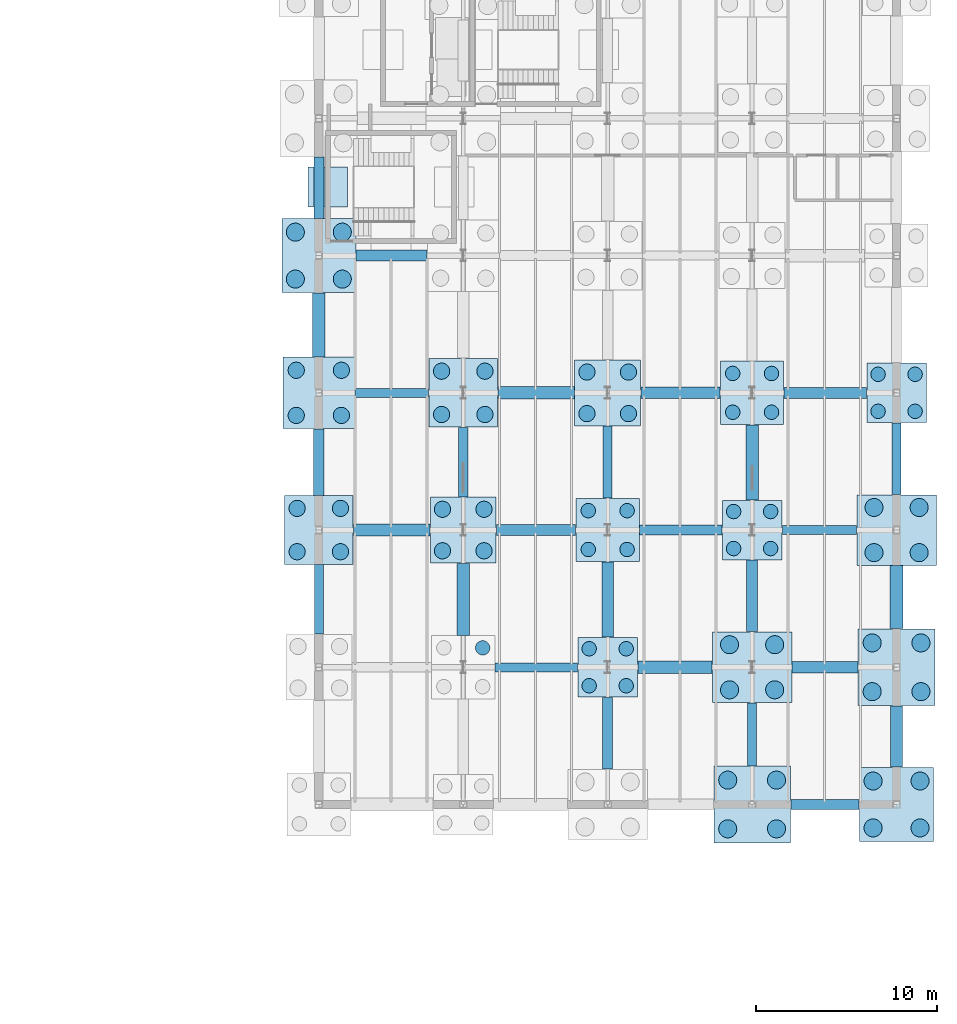
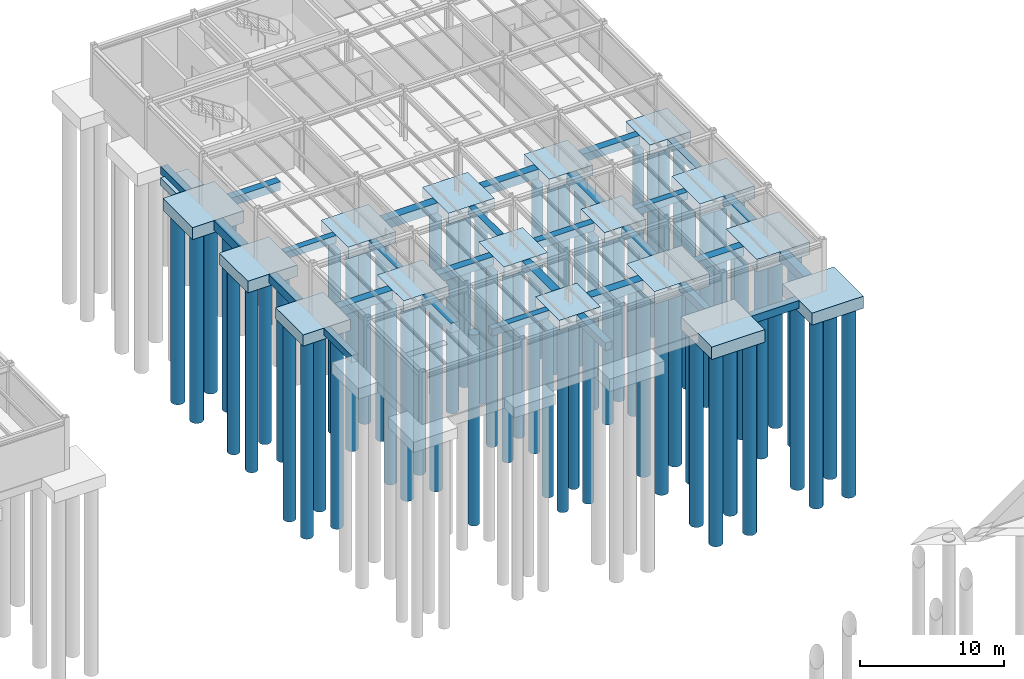
# One storey, part 8 of 33: 65 piles, 45 footings.
"""IFC4 building model written with IfcOpenShell, lengths in metres."""

from ifc_helpers import new_model, si_unit, direction, frame, origin, origin_2d, place, context, subcontext, project, spatial, rectangle, circle, extrude, material, material_profile, profile_set, type_object, element, save


model = new_model("IFC4")

# Units and contexts
model_context = context("Model", 3, precision=1e-05, world=origin(), true_north=direction((0.0, 1.0)))
body_context = subcontext(model_context, "Body", "Model", "MODEL_VIEW")
ifc_project = project(units=[si_unit("LENGTHUNIT", "METRE"), si_unit("AREAUNIT", "SQUARE_METRE"), si_unit("VOLUMEUNIT", "CUBIC_METRE"), si_unit("PLANEANGLEUNIT", "RADIAN"), si_unit("MASSUNIT", "GRAM", prefix="KILO")], contexts=[model_context])

# Site, building, storey
site_placement = place(None, origin())
site = spatial("IfcSite", under=ifc_project, at=site_placement, CompositionType="ELEMENT")
building_placement = place(site_placement, origin())
building = spatial("IfcBuilding", under=site, at=building_placement, Name="Montecoro Central Library", CompositionType="ELEMENT")
storey_placement = place(building_placement, frame((0.0, 0.0, -4.419921875)))
storey = spatial("IfcBuildingStorey", under=building, at=storey_placement, Name="B1", CompositionType="ELEMENT", Elevation=-4.419921875)

# Footings
ifc_material = material(Name="Concrete C35/45", Category="concrete")
footing_type_1 = type_object("IfcFootingType", Name="FT-PAD-220", PredefinedType="PAD_FOOTING", material=ifc_material)
footing_1_placement = place(storey_placement, frame((141.5, 107.60009765625, -1.150146484375), z_axis=(0.0, 0.0, 1.0), x_axis=(1.0, 0.0, 0.0)))
element("IfcFooting", 1, at=footing_1_placement, inside=storey, type_object=footing_type_1, Name="FT-WALL-C8-WW", PredefinedType="PAD_FOOTING", context=body_context, shape_type="SweptSolid", body=[
    extrude(rectangle(XDim=2.199951171875, YDim=2.199951171875, at=origin_2d()), origin(), (0.0, 0.0, 1.0), 0.64990234375),
])
footing_type_2 = type_object("IfcFootingType", Name="FT-PC-330", PredefinedType="PILE_CAP", material=ifc_material)
for number, where, z_axis, x_axis, name in (
    (2, (157.0, 81.0, -0.85009765625), (0.0, 0.0, 1.0), (1.0, 0.0, 0.0), "V5-CAP-20-L"),
    (3, (165.0, 88.60009765625, -0.85009765625), (0.0, 0.0, 1.0), (1.0, 0.0, 0.0), "V5-CAP-21-M"),
    (4, (173.0, 96.199951171875, -0.85009765625), (0.0, 0.0, 1.0), (1.0, 0.0, 0.0), "V5-CAP-22-N"),
):
    element("IfcFooting", number, at=place(storey_placement, frame(where, z_axis=z_axis, x_axis=x_axis)), inside=storey, type_object=footing_type_2, Name=name, PredefinedType="PILE_CAP", context=body_context, shape_type="SweptSolid", body=[
        extrude(rectangle(XDim=3.300048828125, YDim=3.300048828125, at=origin_2d()), origin(), (0.0, 0.0, 1.0), 0.85009765625),
    ])
footing_type_3 = type_object("IfcFootingType", Name="FT-PC-350", PredefinedType="PILE_CAP", material=ifc_material)
for number, where, z_axis, x_axis, name in (
    (5, (157.0, 88.60009765625, -0.880126953125), (0.0, 0.0, 1.0), (1.0, 0.0, 0.0), "V5-CAP-20-M"),
    (6, (165.0, 96.199951171875, -0.880126953125), (0.0, 0.0, 1.0), (1.0, 0.0, 0.0), "V5-CAP-21-N"),
):
    element("IfcFooting", number, at=place(storey_placement, frame(where, z_axis=z_axis, x_axis=x_axis)), inside=storey, type_object=footing_type_3, Name=name, PredefinedType="PILE_CAP", context=body_context, shape_type="SweptSolid", body=[
        extrude(rectangle(XDim=3.5, YDim=3.5, at=origin_2d()), origin(), (0.0, 0.0, 1.0), 0.8798828125),
    ])
footing_type_4 = type_object("IfcFootingType", Name="FT-PC-365", PredefinedType="PILE_CAP", material=ifc_material)
for number, where, z_axis, x_axis, name in (
    (7, (149.0, 88.60009765625, -0.900146484375), (0.0, 0.0, 1.0), (1.0, 0.0, 0.0), "V5-CAP-19-M"),
    (8, (157.0, 96.199951171875, -0.900146484375), (0.0, 0.0, 1.0), (1.0, 0.0, 0.0), "V5-CAP-20-N"),
):
    element("IfcFooting", number, at=place(storey_placement, frame(where, z_axis=z_axis, x_axis=x_axis)), inside=storey, type_object=footing_type_4, Name=name, PredefinedType="PILE_CAP", context=body_context, shape_type="SweptSolid", body=[
        extrude(rectangle(XDim=3.64990234375, YDim=3.64990234375, at=origin_2d()), origin(), (0.0, 0.0, 1.0), 0.89990234375),
    ])
footing_type_5 = type_object("IfcFootingType", Name="FT-PC-380", PredefinedType="PILE_CAP", material=ifc_material)
for number, where, z_axis, x_axis, name in (
    (9, (141.0, 88.60009765625, -0.9501953125), (0.0, 0.0, 1.0), (1.0, 0.0, 0.0), "V5-CAP-18-M"),
    (10, (149.0, 96.199951171875, -0.9501953125), (0.0, 0.0, 1.0), (1.0, 0.0, 0.0), "V5-CAP-19-N"),
):
    element("IfcFooting", number, at=place(storey_placement, frame(where, z_axis=z_axis, x_axis=x_axis)), inside=storey, type_object=footing_type_5, Name=name, PredefinedType="PILE_CAP", context=body_context, shape_type="SweptSolid", body=[
        extrude(rectangle(XDim=3.800048828125, YDim=3.800048828125, at=origin_2d()), origin(), (0.0, 0.0, 1.0), 0.949951171875),
    ])
footing_type_6 = type_object("IfcFootingType", Name="FT-PC-395", PredefinedType="PILE_CAP", material=ifc_material)
footing_2_placement = place(storey_placement, frame((141.0, 96.199951171875, -0.97998046875), z_axis=(0.0, 0.0, 1.0), x_axis=(1.0, 0.0, 0.0)))
element("IfcFooting", 11, at=footing_2_placement, inside=storey, type_object=footing_type_6, Name="V5-CAP-18-N", PredefinedType="PILE_CAP", context=body_context, shape_type="SweptSolid", body=[
    extrude(rectangle(XDim=3.949951171875, YDim=3.949951171875, at=origin_2d()), origin(), (0.0, 0.0, 1.0), 0.97998046875),
])
footing_type_7 = type_object("IfcFootingType", Name="FT-PC-410", PredefinedType="PILE_CAP", material=ifc_material)
for number, where, z_axis, x_axis, name in (
    (12, (141.0, 103.800048828125, -1.02001953125), (0.0, 0.0, 1.0), (1.0, 0.0, 0.0), "V5-CAP-18-P"),
    (13, (173.0, 73.39990234375, -1.02001953125), (0.0, 0.0, 1.0), (1.0, 0.0, 0.0), "V5-CAP-22-K"),
):
    element("IfcFooting", number, at=place(storey_placement, frame(where, z_axis=z_axis, x_axis=x_axis)), inside=storey, type_object=footing_type_7, Name=name, PredefinedType="PILE_CAP", context=body_context, shape_type="SweptSolid", body=[
        extrude(rectangle(XDim=4.10009765625, YDim=4.10009765625, at=origin_2d()), origin(), (0.0, 0.0, 1.0), 1.02001953125),
    ])
footing_type_8 = type_object("IfcFootingType", Name="FT-PC-425", PredefinedType="PILE_CAP", material=ifc_material)
for number, where, z_axis, x_axis, name in (
    (14, (165.0, 73.39990234375, -1.06005859375), (0.0, 0.0, 1.0), (1.0, 0.0, 0.0), "V5-CAP-21-K"),
    (15, (173.0, 81.0, -1.06005859375), (0.0, 0.0, 1.0), (1.0, 0.0, 0.0), "V5-CAP-22-L"),
):
    element("IfcFooting", number, at=place(storey_placement, frame(where, z_axis=z_axis, x_axis=x_axis)), inside=storey, type_object=footing_type_8, Name=name, PredefinedType="PILE_CAP", context=body_context, shape_type="SweptSolid", body=[
        extrude(rectangle(XDim=4.25, YDim=4.25, at=origin_2d()), origin(), (0.0, 0.0, 1.0), 1.06005859375),
    ])
footing_type_9 = type_object("IfcFootingType", Name="FT-PC-440", PredefinedType="PILE_CAP", material=ifc_material)
for number, where, z_axis, x_axis, name in (
    (16, (165.0, 81.0, -1.05029296875), (0.0, 0.0, 1.0), (1.0, 0.0, 0.0), "V5-CAP-21-L"),
    (17, (173.0, 88.60009765625, -1.05029296875), (0.0, 0.0, 1.0), (1.0, 0.0, 0.0), "V5-CAP-22-M"),
):
    element("IfcFooting", number, at=place(storey_placement, frame(where, z_axis=z_axis, x_axis=x_axis)), inside=storey, type_object=footing_type_9, Name=name, PredefinedType="PILE_CAP", context=body_context, shape_type="SweptSolid", body=[
        extrude(rectangle(XDim=4.39990234375, YDim=3.89990234375, at=origin_2d()), origin(), (0.0, 0.0, 1.0), 1.050048828125),
    ])
footing_type_10 = type_object("IfcFootingType", Name="FT-TB-01", PredefinedType="FOOTING_BEAM", material=ifc_material)
footing_3_placement = place(storey_placement, frame((141.0, 84.762939453125, -0.60009765625), z_axis=(0.0, 0.0, 1.0), x_axis=(1.0, 0.0, 0.0)))
element("IfcFooting", 18, at=footing_3_placement, inside=storey, type_object=footing_type_10, Name="FT-TBY-135", PredefinedType="FOOTING_BEAM", context=body_context, shape_type="SweptSolid", body=[
    extrude(rectangle(XDim=0.5, YDim=3.8349609375, at=origin_2d()), origin(), (0.0, 0.0, 1.0), 0.60009765625),
])
footing_4_placement = place(storey_placement, frame((145.0380859375, 96.199951171875, -0.60009765625), z_axis=(0.0, 0.0, 1.0), x_axis=(1.0, 0.0, 0.0)))
element("IfcFooting", 19, at=footing_4_placement, inside=storey, type_object=footing_type_10, Name="FT-TBX-140", PredefinedType="FOOTING_BEAM", context=body_context, shape_type="SweptSolid", body=[
    extrude(rectangle(XDim=4.0849609375, YDim=0.5, at=origin_2d()), origin(), (0.0, 0.0, 1.0), 0.60009765625),
])
footing_5_placement = place(storey_placement, frame((153.050048828125, 81.0, -0.60009765625), z_axis=(0.0, 0.0, 1.0), x_axis=(1.0, 0.0, 0.0)))
element("IfcFooting", 20, at=footing_5_placement, inside=storey, type_object=footing_type_10, Name="FT-TBX-160", PredefinedType="FOOTING_BEAM", context=body_context, shape_type="SweptSolid", body=[
    extrude(rectangle(XDim=4.56005859375, YDim=0.5, at=origin_2d()), origin(), (0.0, 0.0, 1.0), 0.60009765625),
])
footing_6_placement = place(storey_placement, frame((157.0, 92.363037109375, -0.60009765625), z_axis=(0.0, 0.0, 1.0), x_axis=(1.0, 0.0, 0.0)))
element("IfcFooting", 21, at=footing_6_placement, inside=storey, type_object=footing_type_10, Name="FT-TBY-185", PredefinedType="FOOTING_BEAM", context=body_context, shape_type="SweptSolid", body=[
    extrude(rectangle(XDim=0.5, YDim=3.985107421875, at=origin_2d()), origin(), (0.0, 0.0, 1.0), 0.60009765625),
])
footing_7_placement = place(storey_placement, frame((165.0, 77.287109375, -0.60009765625), z_axis=(0.0, 0.0, 1.0), x_axis=(1.0, 0.0, 0.0)))
element("IfcFooting", 22, at=footing_7_placement, inside=storey, type_object=footing_type_10, Name="FT-TBY-205", PredefinedType="FOOTING_BEAM", context=body_context, shape_type="SweptSolid", body=[
    extrude(rectangle(XDim=0.5, YDim=3.485107421875, at=origin_2d()), origin(), (0.0, 0.0, 1.0), 0.60009765625),
])
footing_8_placement = place(storey_placement, frame((168.72509765625, 88.60009765625, -0.60009765625), z_axis=(0.0, 0.0, 1.0), x_axis=(1.0, 0.0, 0.0)))
element("IfcFooting", 23, at=footing_8_placement, inside=storey, type_object=footing_type_10, Name="FT-TBX-210", PredefinedType="FOOTING_BEAM", context=body_context, shape_type="SweptSolid", body=[
    extrude(rectangle(XDim=4.110107421875, YDim=0.5, at=origin_2d()), origin(), (0.0, 0.0, 1.0), 0.60009765625),
])
footing_9_placement = place(storey_placement, frame((173.0, 92.550048828125, -0.60009765625), z_axis=(0.0, 0.0, 1.0), x_axis=(1.0, 0.0, 0.0)))
element("IfcFooting", 24, at=footing_9_placement, inside=storey, type_object=footing_type_10, Name="FT-TBY-225", PredefinedType="FOOTING_BEAM", context=body_context, shape_type="SweptSolid", body=[
    extrude(rectangle(XDim=0.5, YDim=3.9599609375, at=origin_2d()), origin(), (0.0, 0.0, 1.0), 0.60009765625),
])
footing_type_11 = type_object("IfcFootingType", Name="FT-TB-02", PredefinedType="FOOTING_BEAM", material=ifc_material)
footing_10_placement = place(storey_placement, frame((141.0, 107.56201171875, -0.650146484375), z_axis=(0.0, 0.0, 1.0), x_axis=(1.0, 0.0, 0.0)))
element("IfcFooting", 25, at=footing_10_placement, inside=storey, type_object=footing_type_11, Name="FT-TBY-141", PredefinedType="FOOTING_BEAM", context=body_context, shape_type="SweptSolid", body=[
    extrude(rectangle(XDim=0.550048828125, YDim=3.385009765625, at=origin_2d()), origin(), (0.0, 0.0, 1.0), 0.64990234375),
])
footing_11_placement = place(storey_placement, frame((149.0, 92.362060546875, -0.650146484375), z_axis=(0.0, 0.0, 1.0), x_axis=(1.0, 0.0, 0.0)))
element("IfcFooting", 26, at=footing_11_placement, inside=storey, type_object=footing_type_11, Name="FT-TBY-161", PredefinedType="FOOTING_BEAM", context=body_context, shape_type="SweptSolid", body=[
    extrude(rectangle(XDim=0.550048828125, YDim=3.8349609375, at=origin_2d()), origin(), (0.0, 0.0, 1.0), 0.64990234375),
])
footing_12_placement = place(storey_placement, frame((157.0, 77.35009765625, -0.650146484375), z_axis=(0.0, 0.0, 1.0), x_axis=(1.0, 0.0, 0.0)))
element("IfcFooting", 27, at=footing_12_placement, inside=storey, type_object=footing_type_11, Name="FT-TBY-181", PredefinedType="FOOTING_BEAM", context=body_context, shape_type="SweptSolid", body=[
    extrude(rectangle(XDim=0.550048828125, YDim=3.9599609375, at=origin_2d()), origin(), (0.0, 0.0, 1.0), 0.64990234375),
])
footing_13_placement = place(storey_placement, frame((161.050048828125, 88.60009765625, -0.650146484375), z_axis=(0.0, 0.0, 1.0), x_axis=(1.0, 0.0, 0.0)))
element("IfcFooting", 28, at=footing_13_placement, inside=storey, type_object=footing_type_11, Name="FT-TBX-186", PredefinedType="FOOTING_BEAM", context=body_context, shape_type="SweptSolid", body=[
    extrude(rectangle(XDim=4.56005859375, YDim=0.550048828125, at=origin_2d()), origin(), (0.0, 0.0, 1.0), 0.64990234375),
])
footing_14_placement = place(storey_placement, frame((169.0380859375, 73.39990234375, -0.650146484375), z_axis=(0.0, 0.0, 1.0), x_axis=(1.0, 0.0, 0.0)))
element("IfcFooting", 29, at=footing_14_placement, inside=storey, type_object=footing_type_11, Name="FT-TBX-206", PredefinedType="FOOTING_BEAM", context=body_context, shape_type="SweptSolid", body=[
    extrude(rectangle(XDim=3.784912109375, YDim=0.550048828125, at=origin_2d()), origin(), (0.0, 0.0, 1.0), 0.64990234375),
])
footing_type_12 = type_object("IfcFootingType", Name="FT-TB-03", PredefinedType="FOOTING_BEAM", material=ifc_material)
footing_15_placement = place(storey_placement, frame((141.0, 92.362060546875, -0.7001953125), z_axis=(0.0, 0.0, 1.0), x_axis=(1.0, 0.0, 0.0)))
element("IfcFooting", 30, at=footing_15_placement, inside=storey, type_object=footing_type_12, Name="FT-TBY-137", PredefinedType="FOOTING_BEAM", context=body_context, shape_type="SweptSolid", body=[
    extrude(rectangle(XDim=0.60009765625, YDim=3.68505859375, at=origin_2d()), origin(), (0.0, 0.0, 1.0), 0.699951171875),
])
footing_16_placement = place(storey_placement, frame((145.037109375, 103.800048828125, -0.7001953125), z_axis=(0.0, 0.0, 1.0), x_axis=(1.0, 0.0, 0.0)))
element("IfcFooting", 31, at=footing_16_placement, inside=storey, type_object=footing_type_12, Name="FT-TBX-142", PredefinedType="FOOTING_BEAM", context=body_context, shape_type="SweptSolid", body=[
    extrude(rectangle(XDim=3.93505859375, YDim=0.60009765625, at=origin_2d()), origin(), (0.0, 0.0, 1.0), 0.699951171875),
])
footing_17_placement = place(storey_placement, frame((153.037109375, 88.60009765625, -0.7001953125), z_axis=(0.0, 0.0, 1.0), x_axis=(1.0, 0.0, 0.0)))
element("IfcFooting", 32, at=footing_17_placement, inside=storey, type_object=footing_type_12, Name="FT-TBX-162", PredefinedType="FOOTING_BEAM", context=body_context, shape_type="SweptSolid", body=[
    extrude(rectangle(XDim=4.385009765625, YDim=0.60009765625, at=origin_2d()), origin(), (0.0, 0.0, 1.0), 0.699951171875),
])
footing_18_placement = place(storey_placement, frame((165.0, 84.949951171875, -0.7001953125), z_axis=(0.0, 0.0, 1.0), x_axis=(1.0, 0.0, 0.0)))
element("IfcFooting", 33, at=footing_18_placement, inside=storey, type_object=footing_type_12, Name="FT-TBY-207", PredefinedType="FOOTING_BEAM", context=body_context, shape_type="SweptSolid", body=[
    extrude(rectangle(XDim=0.60009765625, YDim=3.9599609375, at=origin_2d()), origin(), (0.0, 0.0, 1.0), 0.699951171875),
])
footing_19_placement = place(storey_placement, frame((169.050048828125, 96.199951171875, -0.7001953125), z_axis=(0.0, 0.0, 1.0), x_axis=(1.0, 0.0, 0.0)))
element("IfcFooting", 34, at=footing_19_placement, inside=storey, type_object=footing_type_12, Name="FT-TBX-212", PredefinedType="FOOTING_BEAM", context=body_context, shape_type="SweptSolid", body=[
    extrude(rectangle(XDim=4.56005859375, YDim=0.60009765625, at=origin_2d()), origin(), (0.0, 0.0, 1.0), 0.699951171875),
])
footing_type_13 = type_object("IfcFootingType", Name="FT-TB-04", PredefinedType="FOOTING_BEAM", material=ifc_material)
footing_20_placement = place(storey_placement, frame((145.037109375, 88.60009765625, -0.75), z_axis=(0.0, 0.0, 1.0), x_axis=(1.0, 0.0, 0.0)))
element("IfcFooting", 35, at=footing_20_placement, inside=storey, type_object=footing_type_13, Name="FT-TBX-138", PredefinedType="FOOTING_BEAM", context=body_context, shape_type="SweptSolid", body=[
    extrude(rectangle(XDim=4.235107421875, YDim=0.64990234375, at=origin_2d()), origin(), (0.0, 0.0, 1.0), 0.75),
])
footing_21_placement = place(storey_placement, frame((157.0, 84.75, -0.75), z_axis=(0.0, 0.0, 1.0), x_axis=(1.0, 0.0, 0.0)))
element("IfcFooting", 36, at=footing_21_placement, inside=storey, type_object=footing_type_13, Name="FT-TBY-183", PredefinedType="FOOTING_BEAM", context=body_context, shape_type="SweptSolid", body=[
    extrude(rectangle(XDim=0.64990234375, YDim=4.159912109375, at=origin_2d()), origin(), (0.0, 0.0, 1.0), 0.75),
])
footing_22_placement = place(storey_placement, frame((161.037109375, 96.199951171875, -0.75), z_axis=(0.0, 0.0, 1.0), x_axis=(1.0, 0.0, 0.0)))
element("IfcFooting", 37, at=footing_22_placement, inside=storey, type_object=footing_type_13, Name="FT-TBX-188", PredefinedType="FOOTING_BEAM", context=body_context, shape_type="SweptSolid", body=[
    extrude(rectangle(XDim=4.385009765625, YDim=0.64990234375, at=origin_2d()), origin(), (0.0, 0.0, 1.0), 0.75),
])
footing_23_placement = place(storey_placement, frame((169.037109375, 81.0, -0.75), z_axis=(0.0, 0.0, 1.0), x_axis=(1.0, 0.0, 0.0)))
element("IfcFooting", 38, at=footing_23_placement, inside=storey, type_object=footing_type_13, Name="FT-TBX-208", PredefinedType="FOOTING_BEAM", context=body_context, shape_type="SweptSolid", body=[
    extrude(rectangle(XDim=3.635009765625, YDim=0.64990234375, at=origin_2d()), origin(), (0.0, 0.0, 1.0), 0.75),
])
footing_24_placement = place(storey_placement, frame((173.0, 77.162109375, -0.75), z_axis=(0.0, 0.0, 1.0), x_axis=(1.0, 0.0, 0.0)))
element("IfcFooting", 39, at=footing_24_placement, inside=storey, type_object=footing_type_13, Name="FT-TBY-223", PredefinedType="FOOTING_BEAM", context=body_context, shape_type="SweptSolid", body=[
    extrude(rectangle(XDim=0.64990234375, YDim=3.385009765625, at=origin_2d()), origin(), (0.0, 0.0, 1.0), 0.75),
])
footing_type_14 = type_object("IfcFootingType", Name="FT-TB-05", PredefinedType="FOOTING_BEAM", material=ifc_material)
footing_25_placement = place(storey_placement, frame((141.0, 99.962890625, -0.80029296875), z_axis=(0.0, 0.0, 1.0), x_axis=(1.0, 0.0, 0.0)))
element("IfcFooting", 40, at=footing_25_placement, inside=storey, type_object=footing_type_14, Name="FT-TBY-139", PredefinedType="FOOTING_BEAM", context=body_context, shape_type="SweptSolid", body=[
    extrude(rectangle(XDim=0.699951171875, YDim=3.534912109375, at=origin_2d()), origin(), (0.0, 0.0, 1.0), 0.800048828125),
])
footing_26_placement = place(storey_placement, frame((149.0, 84.761962890625, -0.80029296875), z_axis=(0.0, 0.0, 1.0), x_axis=(1.0, 0.0, 0.0)))
element("IfcFooting", 41, at=footing_26_placement, inside=storey, type_object=footing_type_14, Name="FT-TBY-159", PredefinedType="FOOTING_BEAM", context=body_context, shape_type="SweptSolid", body=[
    extrude(rectangle(XDim=0.699951171875, YDim=3.985107421875, at=origin_2d()), origin(), (0.0, 0.0, 1.0), 0.800048828125),
])
footing_27_placement = place(storey_placement, frame((153.037109375, 96.199951171875, -0.80029296875), z_axis=(0.0, 0.0, 1.0), x_axis=(1.0, 0.0, 0.0)))
element("IfcFooting", 42, at=footing_27_placement, inside=storey, type_object=footing_type_14, Name="FT-TBX-164", PredefinedType="FOOTING_BEAM", context=body_context, shape_type="SweptSolid", body=[
    extrude(rectangle(XDim=4.235107421875, YDim=0.699951171875, at=origin_2d()), origin(), (0.0, 0.0, 1.0), 0.800048828125),
])
footing_28_placement = place(storey_placement, frame((160.72509765625, 81.0, -0.80029296875), z_axis=(0.0, 0.0, 1.0), x_axis=(1.0, 0.0, 0.0)))
element("IfcFooting", 43, at=footing_28_placement, inside=storey, type_object=footing_type_14, Name="FT-TBX-184", PredefinedType="FOOTING_BEAM", context=body_context, shape_type="SweptSolid", body=[
    extrude(rectangle(XDim=4.110107421875, YDim=0.699951171875, at=origin_2d()), origin(), (0.0, 0.0, 1.0), 0.800048828125),
])
footing_29_placement = place(storey_placement, frame((165.0, 92.35009765625, -0.80029296875), z_axis=(0.0, 0.0, 1.0), x_axis=(1.0, 0.0, 0.0)))
element("IfcFooting", 44, at=footing_29_placement, inside=storey, type_object=footing_type_14, Name="FT-TBY-209", PredefinedType="FOOTING_BEAM", context=body_context, shape_type="SweptSolid", body=[
    extrude(rectangle(XDim=0.699951171875, YDim=4.159912109375, at=origin_2d()), origin(), (0.0, 0.0, 1.0), 0.800048828125),
])
footing_30_placement = place(storey_placement, frame((173.0, 84.886962890625, -0.80029296875), z_axis=(0.0, 0.0, 1.0), x_axis=(1.0, 0.0, 0.0)))
element("IfcFooting", 45, at=footing_30_placement, inside=storey, type_object=footing_type_14, Name="FT-TBY-224", PredefinedType="FOOTING_BEAM", context=body_context, shape_type="SweptSolid", body=[
    extrude(rectangle(XDim=0.699951171875, YDim=3.485107421875, at=origin_2d()), origin(), (0.0, 0.0, 1.0), 0.800048828125),
])

# Piles
ifc_material_profile_1 = material_profile(ifc_material, circle(Radius=0.5, at=origin_2d()), Name="PILE D1000")
ifc_profile_set_1 = profile_set([ifc_material_profile_1], Name="Concrete C35/45")
pile_type_1 = type_object("IfcPileType", Name="PL-BORED-1000", PredefinedType="BORED", material=ifc_profile_set_1)
for number, where, z_axis, x_axis, name in (
    (46, (139.699951171875, 102.5, -0.920166015625), (0.0, 0.0, -1.0), (1.0, 0.0, 0.0), "V5-CAP-18-P-P1"),
    (47, (139.699951171875, 105.10009765625, -0.920166015625), (0.0, 0.0, -1.0), (1.0, 0.0, 0.0), "V5-CAP-18-P-P2"),
    (48, (142.300048828125, 102.5, -0.920166015625), (0.0, 0.0, -1.0), (1.0, 0.0, 0.0), "V5-CAP-18-P-P3"),
    (49, (142.300048828125, 105.10009765625, -0.920166015625), (0.0, 0.0, -1.0), (1.0, 0.0, 0.0), "V5-CAP-18-P-P4"),
):
    element("IfcPile", number, at=place(storey_placement, frame(where, z_axis=z_axis, x_axis=x_axis)), inside=storey, type_object=pile_type_1, Name=name, PredefinedType="BORED", context=body_context, shape_type="SweptSolid", body=[
        extrude(circle(Radius=0.5, at=origin_2d()), origin(), (0.0, 0.0, 1.0), 16.010009765625),
    ])
for number, where, z_axis, x_axis, name in (
    (50, (163.64990234375, 72.050048828125, -0.9599609375), (0.0, 0.0, -1.0), (1.0, 0.0, 0.0), "V5-CAP-21-K-P1"),
    (51, (163.64990234375, 74.75, -0.9599609375), (0.0, 0.0, -1.0), (1.0, 0.0, 0.0), "V5-CAP-21-K-P2"),
    (52, (166.35009765625, 72.050048828125, -0.9599609375), (0.0, 0.0, -1.0), (1.0, 0.0, 0.0), "V5-CAP-21-K-P3"),
    (53, (166.35009765625, 74.75, -0.9599609375), (0.0, 0.0, -1.0), (1.0, 0.0, 0.0), "V5-CAP-21-K-P4"),
):
    element("IfcPile", number, at=place(storey_placement, frame(where, z_axis=z_axis, x_axis=x_axis)), inside=storey, type_object=pile_type_1, Name=name, PredefinedType="BORED", context=body_context, shape_type="SweptSolid", body=[
        extrude(circle(Radius=0.5, at=origin_2d()), origin(), (0.0, 0.0, 1.0), 16.320068359375),
    ])
for number, where, z_axis, x_axis, name in (
    (54, (163.75, 79.75, -0.9501953125), (0.0, 0.0, -1.0), (1.0, 0.0, 0.0), "V5-CAP-21-L-P1"),
    (55, (163.75, 82.25, -0.9501953125), (0.0, 0.0, -1.0), (1.0, 0.0, 0.0), "V5-CAP-21-L-P2"),
    (56, (166.25, 79.75, -0.9501953125), (0.0, 0.0, -1.0), (1.0, 0.0, 0.0), "V5-CAP-21-L-P3"),
    (57, (166.25, 82.25, -0.9501953125), (0.0, 0.0, -1.0), (1.0, 0.0, 0.0), "V5-CAP-21-L-P4"),
):
    element("IfcPile", number, at=place(storey_placement, frame(where, z_axis=z_axis, x_axis=x_axis)), inside=storey, type_object=pile_type_1, Name=name, PredefinedType="BORED", context=body_context, shape_type="SweptSolid", body=[
        extrude(circle(Radius=0.5, at=origin_2d()), origin(), (0.0, 0.0, 1.0), 16.679931640625),
    ])
for number, where, z_axis, x_axis, name in (
    (58, (171.699951171875, 72.10009765625, -0.920166015625), (0.0, 0.0, -1.0), (1.0, 0.0, 0.0), "V5-CAP-22-K-P1"),
    (59, (171.699951171875, 74.699951171875, -0.920166015625), (0.0, 0.0, -1.0), (1.0, 0.0, 0.0), "V5-CAP-22-K-P2"),
    (60, (174.300048828125, 72.10009765625, -0.920166015625), (0.0, 0.0, -1.0), (1.0, 0.0, 0.0), "V5-CAP-22-K-P3"),
    (61, (174.300048828125, 74.699951171875, -0.920166015625), (0.0, 0.0, -1.0), (1.0, 0.0, 0.0), "V5-CAP-22-K-P4"),
):
    element("IfcPile", number, at=place(storey_placement, frame(where, z_axis=z_axis, x_axis=x_axis)), inside=storey, type_object=pile_type_1, Name=name, PredefinedType="BORED", context=body_context, shape_type="SweptSolid", body=[
        extrude(circle(Radius=0.5, at=origin_2d()), origin(), (0.0, 0.0, 1.0), 16.010009765625),
    ])
for number, where, z_axis, x_axis, name in (
    (62, (171.64990234375, 79.64990234375, -0.9599609375), (0.0, 0.0, -1.0), (1.0, 0.0, 0.0), "V5-CAP-22-L-P1"),
    (63, (171.64990234375, 82.35009765625, -0.9599609375), (0.0, 0.0, -1.0), (1.0, 0.0, 0.0), "V5-CAP-22-L-P2"),
    (64, (174.35009765625, 79.64990234375, -0.9599609375), (0.0, 0.0, -1.0), (1.0, 0.0, 0.0), "V5-CAP-22-L-P3"),
    (65, (174.35009765625, 82.35009765625, -0.9599609375), (0.0, 0.0, -1.0), (1.0, 0.0, 0.0), "V5-CAP-22-L-P4"),
):
    element("IfcPile", number, at=place(storey_placement, frame(where, z_axis=z_axis, x_axis=x_axis)), inside=storey, type_object=pile_type_1, Name=name, PredefinedType="BORED", context=body_context, shape_type="SweptSolid", body=[
        extrude(circle(Radius=0.5, at=origin_2d()), origin(), (0.0, 0.0, 1.0), 16.320068359375),
    ])
for number, where, z_axis, x_axis, name in (
    (66, (171.75, 87.35009765625, -0.9501953125), (0.0, 0.0, -1.0), (1.0, 0.0, 0.0), "V5-CAP-22-M-P1"),
    (67, (171.75, 89.85009765625, -0.9501953125), (0.0, 0.0, -1.0), (1.0, 0.0, 0.0), "V5-CAP-22-M-P2"),
    (68, (174.25, 87.35009765625, -0.9501953125), (0.0, 0.0, -1.0), (1.0, 0.0, 0.0), "V5-CAP-22-M-P3"),
    (69, (174.25, 89.85009765625, -0.9501953125), (0.0, 0.0, -1.0), (1.0, 0.0, 0.0), "V5-CAP-22-M-P4"),
):
    element("IfcPile", number, at=place(storey_placement, frame(where, z_axis=z_axis, x_axis=x_axis)), inside=storey, type_object=pile_type_1, Name=name, PredefinedType="BORED", context=body_context, shape_type="SweptSolid", body=[
        extrude(circle(Radius=0.5, at=origin_2d()), origin(), (0.0, 0.0, 1.0), 16.679931640625),
    ])
ifc_material_profile_2 = material_profile(ifc_material, circle(Radius=0.39990234375, at=origin_2d()), Name="PILE D800")
ifc_profile_set_2 = profile_set([ifc_material_profile_2], Name="Concrete C35/45")
pile_type_2 = type_object("IfcPileType", Name="PL-BORED-800", PredefinedType="BORED", material=ifc_profile_set_2)
pile_placement = place(storey_placement, frame((150.074951171875, 82.074951171875, -0.780029296875), z_axis=(0.0, 0.0, -1.0), x_axis=(1.0, 0.0, 0.0)))
element("IfcPile", 70, at=pile_placement, inside=storey, type_object=pile_type_2, Name="V5-CAP-19-L-P4", PredefinedType="BORED", context=body_context, shape_type="SweptSolid", body=[
    extrude(circle(Radius=0.39990234375, at=origin_2d()), origin(), (0.0, 0.0, 1.0), 16.14990234375),
])
for number, where, z_axis, x_axis, name in (
    (71, (155.97509765625, 79.97509765625, -0.75), (0.0, 0.0, -1.0), (1.0, 0.0, 0.0), "V5-CAP-20-L-P1"),
    (72, (155.97509765625, 82.02490234375, -0.75), (0.0, 0.0, -1.0), (1.0, 0.0, 0.0), "V5-CAP-20-L-P2"),
    (73, (158.02490234375, 79.97509765625, -0.75), (0.0, 0.0, -1.0), (1.0, 0.0, 0.0), "V5-CAP-20-L-P3"),
    (74, (158.02490234375, 82.02490234375, -0.75), (0.0, 0.0, -1.0), (1.0, 0.0, 0.0), "V5-CAP-20-L-P4"),
):
    element("IfcPile", number, at=place(storey_placement, frame(where, z_axis=z_axis, x_axis=x_axis)), inside=storey, type_object=pile_type_2, Name=name, PredefinedType="BORED", context=body_context, shape_type="SweptSolid", body=[
        extrude(circle(Radius=0.39990234375, at=origin_2d()), origin(), (0.0, 0.0, 1.0), 15.830078125),
    ])
for number, where, z_axis, x_axis, name in (
    (75, (155.925048828125, 87.52490234375, -0.780029296875), (0.0, 0.0, -1.0), (1.0, 0.0, 0.0), "V5-CAP-20-M-P1"),
    (76, (155.925048828125, 89.675048828125, -0.780029296875), (0.0, 0.0, -1.0), (1.0, 0.0, 0.0), "V5-CAP-20-M-P2"),
    (77, (158.074951171875, 87.52490234375, -0.780029296875), (0.0, 0.0, -1.0), (1.0, 0.0, 0.0), "V5-CAP-20-M-P3"),
    (78, (158.074951171875, 89.675048828125, -0.780029296875), (0.0, 0.0, -1.0), (1.0, 0.0, 0.0), "V5-CAP-20-M-P4"),
):
    element("IfcPile", number, at=place(storey_placement, frame(where, z_axis=z_axis, x_axis=x_axis)), inside=storey, type_object=pile_type_2, Name=name, PredefinedType="BORED", context=body_context, shape_type="SweptSolid", body=[
        extrude(circle(Radius=0.39990234375, at=origin_2d()), origin(), (0.0, 0.0, 1.0), 16.14990234375),
    ])
for number, where, z_axis, x_axis, name in (
    (79, (163.97509765625, 87.574951171875, -0.75), (0.0, 0.0, -1.0), (1.0, 0.0, 0.0), "V5-CAP-21-M-P1"),
    (80, (163.97509765625, 89.625, -0.75), (0.0, 0.0, -1.0), (1.0, 0.0, 0.0), "V5-CAP-21-M-P2"),
    (81, (166.02490234375, 87.574951171875, -0.75), (0.0, 0.0, -1.0), (1.0, 0.0, 0.0), "V5-CAP-21-M-P3"),
    (82, (166.02490234375, 89.625, -0.75), (0.0, 0.0, -1.0), (1.0, 0.0, 0.0), "V5-CAP-21-M-P4"),
):
    element("IfcPile", number, at=place(storey_placement, frame(where, z_axis=z_axis, x_axis=x_axis)), inside=storey, type_object=pile_type_2, Name=name, PredefinedType="BORED", context=body_context, shape_type="SweptSolid", body=[
        extrude(circle(Radius=0.39990234375, at=origin_2d()), origin(), (0.0, 0.0, 1.0), 15.830078125),
    ])
for number, where, z_axis, x_axis, name in (
    (83, (163.925048828125, 95.125, -0.780029296875), (0.0, 0.0, -1.0), (1.0, 0.0, 0.0), "V5-CAP-21-N-P1"),
    (84, (163.925048828125, 97.27490234375, -0.780029296875), (0.0, 0.0, -1.0), (1.0, 0.0, 0.0), "V5-CAP-21-N-P2"),
    (85, (166.074951171875, 95.125, -0.780029296875), (0.0, 0.0, -1.0), (1.0, 0.0, 0.0), "V5-CAP-21-N-P3"),
    (86, (166.074951171875, 97.27490234375, -0.780029296875), (0.0, 0.0, -1.0), (1.0, 0.0, 0.0), "V5-CAP-21-N-P4"),
):
    element("IfcPile", number, at=place(storey_placement, frame(where, z_axis=z_axis, x_axis=x_axis)), inside=storey, type_object=pile_type_2, Name=name, PredefinedType="BORED", context=body_context, shape_type="SweptSolid", body=[
        extrude(circle(Radius=0.39990234375, at=origin_2d()), origin(), (0.0, 0.0, 1.0), 16.14990234375),
    ])
for number, where, z_axis, x_axis, name in (
    (87, (171.97509765625, 95.175048828125, -0.75), (0.0, 0.0, -1.0), (1.0, 0.0, 0.0), "V5-CAP-22-N-P1"),
    (88, (171.97509765625, 97.22509765625, -0.75), (0.0, 0.0, -1.0), (1.0, 0.0, 0.0), "V5-CAP-22-N-P2"),
    (89, (174.02490234375, 95.175048828125, -0.75), (0.0, 0.0, -1.0), (1.0, 0.0, 0.0), "V5-CAP-22-N-P3"),
    (90, (174.02490234375, 97.22509765625, -0.75), (0.0, 0.0, -1.0), (1.0, 0.0, 0.0), "V5-CAP-22-N-P4"),
):
    element("IfcPile", number, at=place(storey_placement, frame(where, z_axis=z_axis, x_axis=x_axis)), inside=storey, type_object=pile_type_2, Name=name, PredefinedType="BORED", context=body_context, shape_type="SweptSolid", body=[
        extrude(circle(Radius=0.39990234375, at=origin_2d()), origin(), (0.0, 0.0, 1.0), 15.830078125),
    ])
ifc_material_profile_3 = material_profile(ifc_material, circle(Radius=0.449951171875, at=origin_2d()), Name="PILE D900")
ifc_profile_set_3 = profile_set([ifc_material_profile_3], Name="Concrete C35/45")
pile_type_3 = type_object("IfcPileType", Name="PL-BORED-900", PredefinedType="BORED", material=ifc_profile_set_3)
for number, where, z_axis, x_axis, name in (
    (91, (139.800048828125, 87.39990234375, -0.85009765625), (0.0, 0.0, -1.0), (1.0, 0.0, 0.0), "V5-CAP-18-M-P1"),
    (92, (139.800048828125, 89.800048828125, -0.85009765625), (0.0, 0.0, -1.0), (1.0, 0.0, 0.0), "V5-CAP-18-M-P2"),
    (93, (142.199951171875, 87.39990234375, -0.85009765625), (0.0, 0.0, -1.0), (1.0, 0.0, 0.0), "V5-CAP-18-M-P3"),
    (94, (142.199951171875, 89.800048828125, -0.85009765625), (0.0, 0.0, -1.0), (1.0, 0.0, 0.0), "V5-CAP-18-M-P4"),
):
    element("IfcPile", number, at=place(storey_placement, frame(where, z_axis=z_axis, x_axis=x_axis)), inside=storey, type_object=pile_type_3, Name=name, PredefinedType="BORED", context=body_context, shape_type="SweptSolid", body=[
        extrude(circle(Radius=0.449951171875, at=origin_2d()), origin(), (0.0, 0.0, 1.0), 16.780029296875),
    ])
for number, where, z_axis, x_axis, name in (
    (95, (139.75, 94.949951171875, -0.880126953125), (0.0, 0.0, -1.0), (1.0, 0.0, 0.0), "V5-CAP-18-N-P1"),
    (96, (139.75, 97.449951171875, -0.880126953125), (0.0, 0.0, -1.0), (1.0, 0.0, 0.0), "V5-CAP-18-N-P2"),
    (97, (142.25, 94.949951171875, -0.880126953125), (0.0, 0.0, -1.0), (1.0, 0.0, 0.0), "V5-CAP-18-N-P3"),
    (98, (142.25, 97.449951171875, -0.880126953125), (0.0, 0.0, -1.0), (1.0, 0.0, 0.0), "V5-CAP-18-N-P4"),
):
    element("IfcPile", number, at=place(storey_placement, frame(where, z_axis=z_axis, x_axis=x_axis)), inside=storey, type_object=pile_type_3, Name=name, PredefinedType="BORED", context=body_context, shape_type="SweptSolid", body=[
        extrude(circle(Radius=0.449951171875, at=origin_2d()), origin(), (0.0, 0.0, 1.0), 15.699951171875),
    ])
for number, where, z_axis, x_axis, name in (
    (99, (147.85009765625, 87.449951171875, -0.800048828125), (0.0, 0.0, -1.0), (1.0, 0.0, 0.0), "V5-CAP-19-M-P1"),
    (100, (147.85009765625, 89.75, -0.800048828125), (0.0, 0.0, -1.0), (1.0, 0.0, 0.0), "V5-CAP-19-M-P2"),
    (101, (150.14990234375, 87.449951171875, -0.800048828125), (0.0, 0.0, -1.0), (1.0, 0.0, 0.0), "V5-CAP-19-M-P3"),
    (102, (150.14990234375, 89.75, -0.800048828125), (0.0, 0.0, -1.0), (1.0, 0.0, 0.0), "V5-CAP-19-M-P4"),
):
    element("IfcPile", number, at=place(storey_placement, frame(where, z_axis=z_axis, x_axis=x_axis)), inside=storey, type_object=pile_type_3, Name=name, PredefinedType="BORED", context=body_context, shape_type="SweptSolid", body=[
        extrude(circle(Radius=0.449951171875, at=origin_2d()), origin(), (0.0, 0.0, 1.0), 16.47998046875),
    ])
for number, where, z_axis, x_axis, name in (
    (103, (147.800048828125, 95.0, -0.85009765625), (0.0, 0.0, -1.0), (1.0, 0.0, 0.0), "V5-CAP-19-N-P1"),
    (104, (147.800048828125, 97.39990234375, -0.85009765625), (0.0, 0.0, -1.0), (1.0, 0.0, 0.0), "V5-CAP-19-N-P2"),
    (105, (150.199951171875, 95.0, -0.85009765625), (0.0, 0.0, -1.0), (1.0, 0.0, 0.0), "V5-CAP-19-N-P3"),
    (106, (150.199951171875, 97.39990234375, -0.85009765625), (0.0, 0.0, -1.0), (1.0, 0.0, 0.0), "V5-CAP-19-N-P4"),
):
    element("IfcPile", number, at=place(storey_placement, frame(where, z_axis=z_axis, x_axis=x_axis)), inside=storey, type_object=pile_type_3, Name=name, PredefinedType="BORED", context=body_context, shape_type="SweptSolid", body=[
        extrude(circle(Radius=0.449951171875, at=origin_2d()), origin(), (0.0, 0.0, 1.0), 16.780029296875),
    ])
for number, where, z_axis, x_axis, name in (
    (107, (155.85009765625, 95.050048828125, -0.800048828125), (0.0, 0.0, -1.0), (1.0, 0.0, 0.0), "V5-CAP-20-N-P1"),
    (108, (155.85009765625, 97.35009765625, -0.800048828125), (0.0, 0.0, -1.0), (1.0, 0.0, 0.0), "V5-CAP-20-N-P2"),
    (109, (158.14990234375, 95.050048828125, -0.800048828125), (0.0, 0.0, -1.0), (1.0, 0.0, 0.0), "V5-CAP-20-N-P3"),
    (110, (158.14990234375, 97.35009765625, -0.800048828125), (0.0, 0.0, -1.0), (1.0, 0.0, 0.0), "V5-CAP-20-N-P4"),
):
    element("IfcPile", number, at=place(storey_placement, frame(where, z_axis=z_axis, x_axis=x_axis)), inside=storey, type_object=pile_type_3, Name=name, PredefinedType="BORED", context=body_context, shape_type="SweptSolid", body=[
        extrude(circle(Radius=0.449951171875, at=origin_2d()), origin(), (0.0, 0.0, 1.0), 16.47998046875),
    ])

save(model, "model.ifc")
